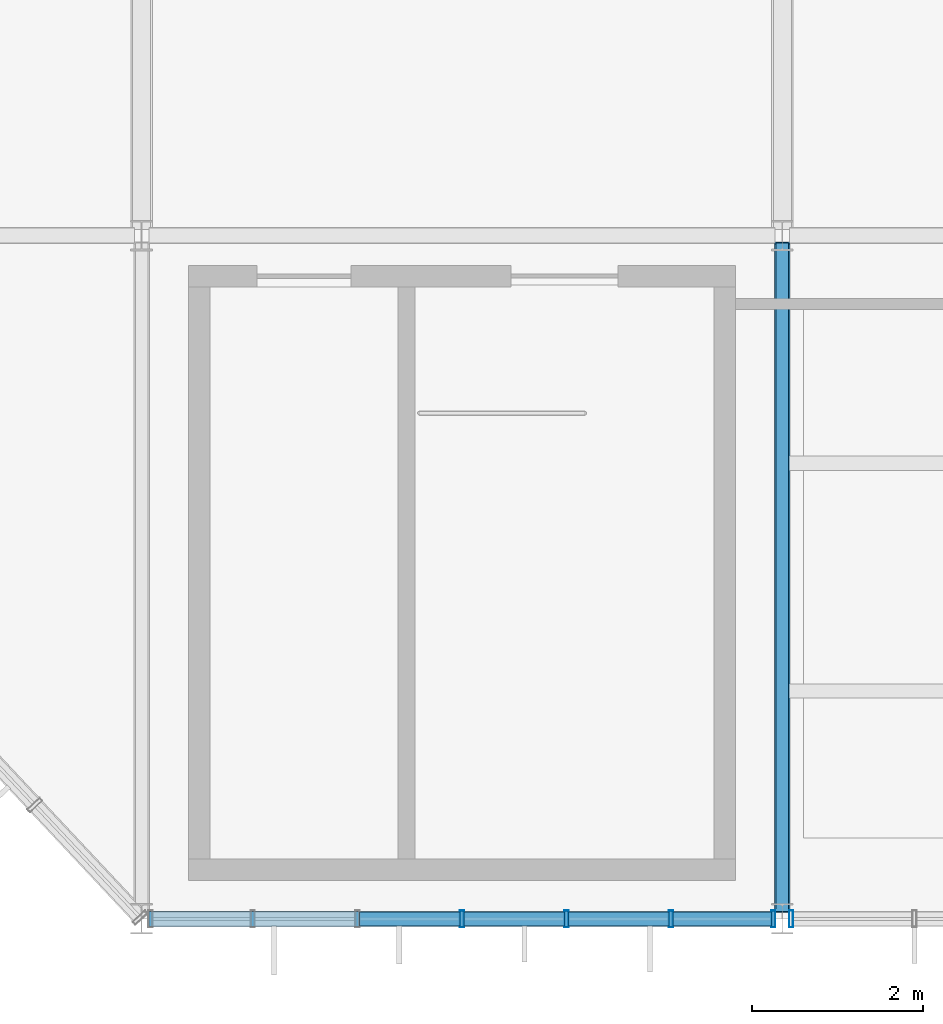
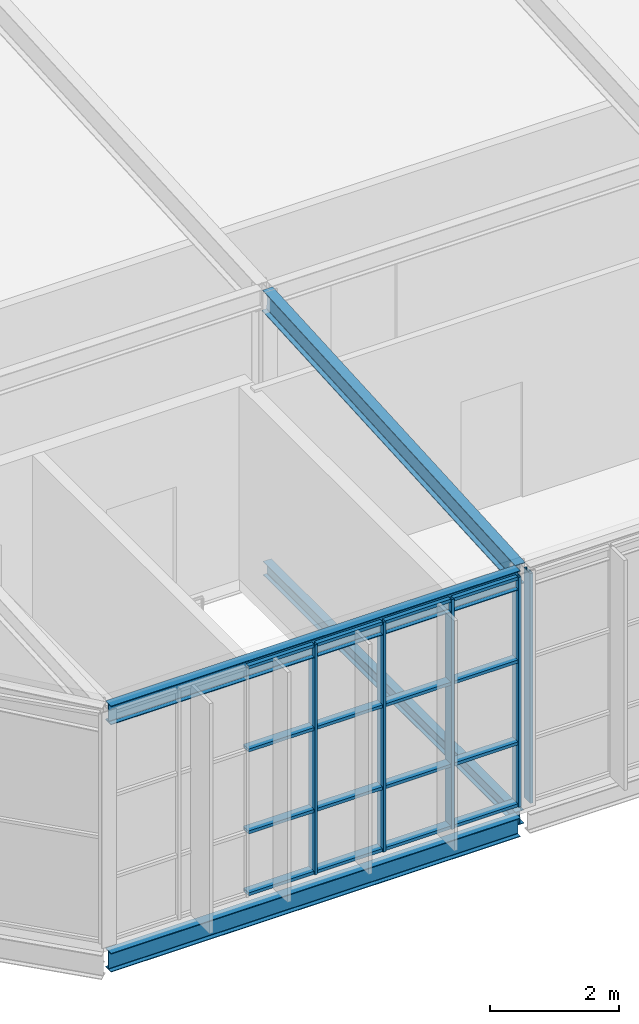
# One storey, part 11 of 104: 21 members, 4 beams, 2 elements without a shape of their own.
"""IFC4 building model written with IfcOpenShell, lengths in metres."""

from ifc_helpers import new_model, si_unit, direction, frame, origin, origin_2d, place, context, subcontext, project, spatial, hollow_rectangle, i_section, extrude, material, layer, layer_set, material_profile, profile_set, type_object, element, aggregate, save


model = new_model("IFC4")

# Units and contexts
model_context = context("Model", 3, precision=1e-05, world=origin(), true_north=direction((0.0, 1.0)))
body_context = subcontext(model_context, "Body", "Model", "MODEL_VIEW")
ifc_project = project(units=[si_unit("LENGTHUNIT", "METRE"), si_unit("AREAUNIT", "SQUARE_METRE"), si_unit("VOLUMEUNIT", "CUBIC_METRE"), si_unit("PLANEANGLEUNIT", "RADIAN"), si_unit("MASSUNIT", "GRAM", prefix="KILO")], contexts=[model_context])

# Site, building, storey
site_placement = place(None, origin())
site = spatial("IfcSite", under=ifc_project, at=site_placement, CompositionType="ELEMENT")
building_placement = place(site_placement, origin())
building = spatial("IfcBuilding", under=site, at=building_placement, Name="Solvenia Promenade Tram Depot", CompositionType="ELEMENT")
storey_placement = place(building_placement, frame((0.0, 0.0, 9.0)))
storey = spatial("IfcBuildingStorey", under=building, at=storey_placement, Name="L02", CompositionType="ELEMENT", Elevation=9.0)

# Beam
ifc_material_1 = material(Name="Structural steel ASTM A992 Gr. 50", Category="steel")
ifc_material_profile_1 = material_profile(ifc_material_1, i_section(OverallWidth=0.178955078125, OverallDepth=0.409912109375, WebThickness=0.0087890625, FlangeThickness=0.014404296875, FilletRadius=0.011962890625, at=origin_2d()), Name="W410x67", Category="steel")
ifc_profile_set_1 = profile_set([ifc_material_profile_1], Name="Structural steel ASTM A992 Gr. 50")
beam_type_1 = type_object("IfcBeamType", Name="Beam-W410x67", PredefinedType="BEAM", material=ifc_profile_set_1)
beam_1_placement = place(storey_placement, frame((15.0, 0.0849609375, 4.2548828125), z_axis=(0.0, 0.998227697106, 0.059510206937), x_axis=(-1.0, 0.0, 0.0)))
element("IfcBeam", 1, at=beam_1_placement, inside=storey, type_object=beam_type_1, Name="Folded Wing Roof Rafter BM-L02-0846", PredefinedType="BEAM", context=body_context, shape_type="SweptSolid", body=[
    extrude(i_section(OverallWidth=0.178955078125, OverallDepth=0.409912109375, WebThickness=0.0087890625, FlangeThickness=0.014404296875, FilletRadius=0.011962890625, at=origin_2d()), origin(), (0.0, 0.0, 1.0), 7.843994140625),
])

# Curtain wall, members
ifc_material_2 = material(Name="Anodized aluminium AW-6063 T6", Category="aluminium")
ifc_layer_1 = layer(ifc_material_2, 0.179931640625, Name="Anodized aluminium AW-6063 T6", Category="aluminium")
ifc_layer_set_1 = layer_set([ifc_layer_1], Name="Anodized aluminium AW-6063 T6")
curtain_wall_type_1 = type_object("IfcCurtainWallType", Name="CW-Solar-1250", PredefinedType="NOTDEFINED", material=ifc_layer_set_1)
curtain_wall_1_placement = place(storey_placement, origin())
curtain_wall_1 = element("IfcCurtainWall", 2, at=curtain_wall_1_placement, inside=storey, type_object=curtain_wall_type_1, Name="Curtain Wall CW-V4S-L02-01", PredefinedType="NOTDEFINED")
ifc_material_profile_2 = material_profile(ifc_material_2, hollow_rectangle(XDim=0.199951171875, YDim=0.048095703125, WallThickness=0.00390625, at=origin_2d()), Name="ALU-M3", Category="aluminium")
ifc_profile_set_2 = profile_set([ifc_material_profile_2], Name="Anodized aluminium AW-6063 T6")
member_type_1 = type_object("IfcMemberType", Name="CWM-Mullion-3", PredefinedType="MULLION", material=ifc_profile_set_2)
member_1_placement = place(storey_placement, frame((11.25, 0.0, 0.0), z_axis=(0.0, 0.0, 1.0), x_axis=(0.0, 1.0, 0.0)))
member_1 = element("IfcMember", 3, at=member_1_placement, type_object=member_type_1, Name="CW-6 mullion 4", PredefinedType="MULLION", context=body_context, shape_type="SweptSolid", body=[
    extrude(hollow_rectangle(XDim=0.199951171875, YDim=0.048095703125, WallThickness=0.00390625, at=origin_2d()), origin(), (0.0, 0.0, 1.0), 4.35009765625),
])
member_2_placement = place(storey_placement, frame((12.473388671875, 0.0, 0.0), z_axis=(0.0, 0.0, 1.0), x_axis=(0.0, 1.0, 0.0)))
member_2 = element("IfcMember", 4, at=member_2_placement, type_object=member_type_1, Name="CW-6 mullion 5", PredefinedType="MULLION", context=body_context, shape_type="SweptSolid", body=[
    extrude(hollow_rectangle(XDim=0.199951171875, YDim=0.048095703125, WallThickness=0.00390625, at=origin_2d()), origin(), (0.0, 0.0, 1.0), 4.35009765625),
])
member_3_placement = place(storey_placement, frame((13.69677734375, 0.0, 0.0), z_axis=(0.0, 0.0, 1.0), x_axis=(0.0, 1.0, 0.0)))
member_3 = element("IfcMember", 5, at=member_3_placement, type_object=member_type_1, Name="CW-6 mullion 6", PredefinedType="MULLION", context=body_context, shape_type="SweptSolid", body=[
    extrude(hollow_rectangle(XDim=0.199951171875, YDim=0.048095703125, WallThickness=0.00390625, at=origin_2d()), origin(), (0.0, 0.0, 1.0), 4.35009765625),
])
member_4_placement = place(storey_placement, frame((14.89599609375, 0.0, 0.0), z_axis=(0.0, 0.0, 1.0), x_axis=(0.0, 1.0, 0.0)))
member_4 = element("IfcMember", 6, at=member_4_placement, type_object=member_type_1, Name="CW-6 mullion 7", PredefinedType="MULLION", context=body_context, shape_type="SweptSolid", body=[
    extrude(hollow_rectangle(XDim=0.199951171875, YDim=0.048095703125, WallThickness=0.00390625, at=origin_2d()), origin(), (0.0, 0.0, 1.0), 4.35009765625),
])

# Curtain wall, member
ifc_layer_2 = layer(ifc_material_2, 0.179931640625, Name="Anodized aluminium AW-6063 T6", Category="aluminium")
ifc_layer_set_2 = layer_set([ifc_layer_2], Name="Anodized aluminium AW-6063 T6")
curtain_wall_type_2 = type_object("IfcCurtainWallType", Name="CW-Solar-1500", PredefinedType="NOTDEFINED", material=ifc_layer_set_2)
curtain_wall_2_placement = place(storey_placement, origin())
curtain_wall_2 = element("IfcCurtainWall", 7, at=curtain_wall_2_placement, inside=storey, type_object=curtain_wall_type_2, Name="Curtain Wall CW-V4S-L02-02", PredefinedType="NOTDEFINED")
member_5_placement = place(storey_placement, frame((15.10400390625, 0.0, 0.0), z_axis=(0.0, 0.0, 1.0), x_axis=(0.0, 1.0, 0.0)))
member_5 = element("IfcMember", 8, at=member_5_placement, type_object=member_type_1, Name="CW-7 mullion 1", PredefinedType="MULLION", context=body_context, shape_type="SweptSolid", body=[
    extrude(hollow_rectangle(XDim=0.199951171875, YDim=0.048095703125, WallThickness=0.00390625, at=origin_2d()), origin(), (0.0, 0.0, 1.0), 4.35009765625),
])
aggregate(curtain_wall_2, [member_5])

# Member
ifc_material_profile_3 = material_profile(ifc_material_2, hollow_rectangle(XDim=0.159912109375, YDim=0.05810546875, WallThickness=0.00390625, at=origin_2d()), Name="ALU-T3", Category="aluminium")
ifc_profile_set_3 = profile_set([ifc_material_profile_3], Name="Anodized aluminium AW-6063 T6")
member_type_2 = type_object("IfcMemberType", Name="CWT-Transom-3", PredefinedType="USERDEFINED", material=ifc_profile_set_3)
member_6_placement = place(storey_placement, frame((10.05078125, 0.0, 0.029052734375), z_axis=(1.0, 0.0, 0.0), x_axis=(0.0, 1.0, 0.0)))
member_6 = element("IfcMember", 9, at=member_6_placement, type_object=member_type_2, Name="CW-6 transom 3.1", ObjectType="TRANSOM", PredefinedType="USERDEFINED", context=body_context, shape_type="SweptSolid", body=[
    extrude(hollow_rectangle(XDim=0.159912109375, YDim=0.05810546875, WallThickness=0.00390625, at=origin_2d()), origin(), (0.0, 0.0, 1.0), 1.17529296875),
])

member_7_placement = place(storey_placement, frame((10.05078125, 0.0, 1.199951171875), z_axis=(1.0, 0.0, 0.0), x_axis=(0.0, 1.0, 0.0)))
member_7 = element("IfcMember", 10, at=member_7_placement, type_object=member_type_2, Name="CW-6 transom 3.2", ObjectType="TRANSOM", PredefinedType="USERDEFINED", context=body_context, shape_type="SweptSolid", body=[
    extrude(hollow_rectangle(XDim=0.159912109375, YDim=0.05810546875, WallThickness=0.00390625, at=origin_2d()), origin(), (0.0, 0.0, 1.0), 1.17529296875),
])

member_8_placement = place(storey_placement, frame((10.05078125, 0.0, 2.75), z_axis=(1.0, 0.0, 0.0), x_axis=(0.0, 1.0, 0.0)))
member_8 = element("IfcMember", 11, at=member_8_placement, type_object=member_type_2, Name="CW-6 transom 3.3", ObjectType="TRANSOM", PredefinedType="USERDEFINED", context=body_context, shape_type="SweptSolid", body=[
    extrude(hollow_rectangle(XDim=0.159912109375, YDim=0.05810546875, WallThickness=0.00390625, at=origin_2d()), origin(), (0.0, 0.0, 1.0), 1.17529296875),
])

member_9_placement = place(storey_placement, frame((10.05078125, 0.0, 4.321044921875), z_axis=(1.0, 0.0, 0.0), x_axis=(0.0, 1.0, 0.0)))
member_9 = element("IfcMember", 12, at=member_9_placement, type_object=member_type_2, Name="CW-6 transom 3.4", ObjectType="TRANSOM", PredefinedType="USERDEFINED", context=body_context, shape_type="SweptSolid", body=[
    extrude(hollow_rectangle(XDim=0.159912109375, YDim=0.05810546875, WallThickness=0.00390625, at=origin_2d()), origin(), (0.0, 0.0, 1.0), 1.17529296875),
])

member_10_placement = place(storey_placement, frame((11.27392578125, 0.0, 0.029052734375), z_axis=(1.0, 0.0, 0.0), x_axis=(0.0, 1.0, 0.0)))
member_10 = element("IfcMember", 13, at=member_10_placement, type_object=member_type_2, Name="CW-6 transom 4.1", ObjectType="TRANSOM", PredefinedType="USERDEFINED", context=body_context, shape_type="SweptSolid", body=[
    extrude(hollow_rectangle(XDim=0.159912109375, YDim=0.05810546875, WallThickness=0.00390625, at=origin_2d()), origin(), (0.0, 0.0, 1.0), 1.17529296875),
])

member_11_placement = place(storey_placement, frame((11.27392578125, 0.0, 1.199951171875), z_axis=(1.0, 0.0, 0.0), x_axis=(0.0, 1.0, 0.0)))
member_11 = element("IfcMember", 14, at=member_11_placement, type_object=member_type_2, Name="CW-6 transom 4.2", ObjectType="TRANSOM", PredefinedType="USERDEFINED", context=body_context, shape_type="SweptSolid", body=[
    extrude(hollow_rectangle(XDim=0.159912109375, YDim=0.05810546875, WallThickness=0.00390625, at=origin_2d()), origin(), (0.0, 0.0, 1.0), 1.17529296875),
])

member_12_placement = place(storey_placement, frame((11.27392578125, 0.0, 2.75), z_axis=(1.0, 0.0, 0.0), x_axis=(0.0, 1.0, 0.0)))
member_12 = element("IfcMember", 15, at=member_12_placement, type_object=member_type_2, Name="CW-6 transom 4.3", ObjectType="TRANSOM", PredefinedType="USERDEFINED", context=body_context, shape_type="SweptSolid", body=[
    extrude(hollow_rectangle(XDim=0.159912109375, YDim=0.05810546875, WallThickness=0.00390625, at=origin_2d()), origin(), (0.0, 0.0, 1.0), 1.17529296875),
])

member_13_placement = place(storey_placement, frame((11.27392578125, 0.0, 4.321044921875), z_axis=(1.0, 0.0, 0.0), x_axis=(0.0, 1.0, 0.0)))
member_13 = element("IfcMember", 16, at=member_13_placement, type_object=member_type_2, Name="CW-6 transom 4.4", ObjectType="TRANSOM", PredefinedType="USERDEFINED", context=body_context, shape_type="SweptSolid", body=[
    extrude(hollow_rectangle(XDim=0.159912109375, YDim=0.05810546875, WallThickness=0.00390625, at=origin_2d()), origin(), (0.0, 0.0, 1.0), 1.17529296875),
])

member_14_placement = place(storey_placement, frame((12.497314453125, 0.0, 0.029052734375), z_axis=(1.0, 0.0, 0.0), x_axis=(0.0, 1.0, 0.0)))
member_14 = element("IfcMember", 17, at=member_14_placement, type_object=member_type_2, Name="CW-6 transom 5.1", ObjectType="TRANSOM", PredefinedType="USERDEFINED", context=body_context, shape_type="SweptSolid", body=[
    extrude(hollow_rectangle(XDim=0.159912109375, YDim=0.05810546875, WallThickness=0.00390625, at=origin_2d()), origin(), (0.0, 0.0, 1.0), 1.17529296875),
])

member_15_placement = place(storey_placement, frame((12.497314453125, 0.0, 1.199951171875), z_axis=(1.0, 0.0, 0.0), x_axis=(0.0, 1.0, 0.0)))
member_15 = element("IfcMember", 18, at=member_15_placement, type_object=member_type_2, Name="CW-6 transom 5.2", ObjectType="TRANSOM", PredefinedType="USERDEFINED", context=body_context, shape_type="SweptSolid", body=[
    extrude(hollow_rectangle(XDim=0.159912109375, YDim=0.05810546875, WallThickness=0.00390625, at=origin_2d()), origin(), (0.0, 0.0, 1.0), 1.17529296875),
])

member_16_placement = place(storey_placement, frame((12.497314453125, 0.0, 2.75), z_axis=(1.0, 0.0, 0.0), x_axis=(0.0, 1.0, 0.0)))
member_16 = element("IfcMember", 19, at=member_16_placement, type_object=member_type_2, Name="CW-6 transom 5.3", ObjectType="TRANSOM", PredefinedType="USERDEFINED", context=body_context, shape_type="SweptSolid", body=[
    extrude(hollow_rectangle(XDim=0.159912109375, YDim=0.05810546875, WallThickness=0.00390625, at=origin_2d()), origin(), (0.0, 0.0, 1.0), 1.17529296875),
])

member_17_placement = place(storey_placement, frame((12.497314453125, 0.0, 4.321044921875), z_axis=(1.0, 0.0, 0.0), x_axis=(0.0, 1.0, 0.0)))
member_17 = element("IfcMember", 20, at=member_17_placement, type_object=member_type_2, Name="CW-6 transom 5.4", ObjectType="TRANSOM", PredefinedType="USERDEFINED", context=body_context, shape_type="SweptSolid", body=[
    extrude(hollow_rectangle(XDim=0.159912109375, YDim=0.05810546875, WallThickness=0.00390625, at=origin_2d()), origin(), (0.0, 0.0, 1.0), 1.17529296875),
])

member_18_placement = place(storey_placement, frame((13.720703125, 0.0, 0.029052734375), z_axis=(1.0, 0.0, 0.0), x_axis=(0.0, 1.0, 0.0)))
member_18 = element("IfcMember", 21, at=member_18_placement, type_object=member_type_2, Name="CW-6 transom 6.1", ObjectType="TRANSOM", PredefinedType="USERDEFINED", context=body_context, shape_type="SweptSolid", body=[
    extrude(hollow_rectangle(XDim=0.159912109375, YDim=0.05810546875, WallThickness=0.00390625, at=origin_2d()), origin(), (0.0, 0.0, 1.0), 1.1513671875),
])

member_19_placement = place(storey_placement, frame((13.720703125, 0.0, 1.199951171875), z_axis=(1.0, 0.0, 0.0), x_axis=(0.0, 1.0, 0.0)))
member_19 = element("IfcMember", 22, at=member_19_placement, type_object=member_type_2, Name="CW-6 transom 6.2", ObjectType="TRANSOM", PredefinedType="USERDEFINED", context=body_context, shape_type="SweptSolid", body=[
    extrude(hollow_rectangle(XDim=0.159912109375, YDim=0.05810546875, WallThickness=0.00390625, at=origin_2d()), origin(), (0.0, 0.0, 1.0), 1.1513671875),
])

member_20_placement = place(storey_placement, frame((13.720703125, 0.0, 2.75), z_axis=(1.0, 0.0, 0.0), x_axis=(0.0, 1.0, 0.0)))
member_20 = element("IfcMember", 23, at=member_20_placement, type_object=member_type_2, Name="CW-6 transom 6.3", ObjectType="TRANSOM", PredefinedType="USERDEFINED", context=body_context, shape_type="SweptSolid", body=[
    extrude(hollow_rectangle(XDim=0.159912109375, YDim=0.05810546875, WallThickness=0.00390625, at=origin_2d()), origin(), (0.0, 0.0, 1.0), 1.1513671875),
])

member_21_placement = place(storey_placement, frame((13.720703125, 0.0, 4.321044921875), z_axis=(1.0, 0.0, 0.0), x_axis=(0.0, 1.0, 0.0)))
member_21 = element("IfcMember", 24, at=member_21_placement, type_object=member_type_2, Name="CW-6 transom 6.4", ObjectType="TRANSOM", PredefinedType="USERDEFINED", context=body_context, shape_type="SweptSolid", body=[
    extrude(hollow_rectangle(XDim=0.159912109375, YDim=0.05810546875, WallThickness=0.00390625, at=origin_2d()), origin(), (0.0, 0.0, 1.0), 1.1513671875),
])

aggregate(curtain_wall_1, [member_1, member_2, member_3, member_4, member_6, member_7, member_8, member_9, member_10, member_11, member_12, member_13, member_14, member_15, member_16, member_17, member_18, member_19, member_20, member_21])

# Beams
ifc_material_profile_4 = material_profile(ifc_material_1, i_section(OverallWidth=0.14697265625, OverallDepth=0.261962890625, WebThickness=0.006591796875, FlangeThickness=0.01123046875, FilletRadius=0.010009765625, at=origin_2d()), Name="W250x39", Category="steel")
ifc_profile_set_4 = profile_set([ifc_material_profile_4], Name="Structural steel ASTM A992 Gr. 50")
beam_type_2 = type_object("IfcBeamType", Name="Joist-W250x39", PredefinedType="JOIST", material=ifc_profile_set_4)
beam_2_placement = place(storey_placement, frame((15.0, 0.0849609375, -0.35107421875), z_axis=(0.0, 1.0, 0.0), x_axis=(-1.0, 0.0, 0.0)))
element("IfcBeam", 25, at=beam_2_placement, inside=storey, type_object=beam_type_2, Name="Transverse Girder BM-L02-0546", PredefinedType="JOIST", context=body_context, shape_type="SweptSolid", body=[
    extrude(i_section(OverallWidth=0.14697265625, OverallDepth=0.261962890625, WebThickness=0.006591796875, FlangeThickness=0.01123046875, FilletRadius=0.010009765625, at=origin_2d()), origin(), (0.0, 0.0, 1.0), 7.830078125),
])
ifc_material_profile_5 = material_profile(ifc_material_1, i_section(OverallWidth=0.172119140625, OverallDepth=0.35791015625, WebThickness=0.0078125, FlangeThickness=0.01318359375, FilletRadius=0.010986328125, at=origin_2d()), Name="W360x57", Category="steel")
ifc_profile_set_5 = profile_set([ifc_material_profile_5], Name="Structural steel ASTM A992 Gr. 50")
beam_type_3 = type_object("IfcBeamType", Name="Spandrel-W360x57", PredefinedType="SPANDREL", material=ifc_profile_set_5)
for number, where, z_axis, x_axis, name in (
    (26, (7.5849609375, 0.0, -0.39892578125), (1.0, 0.0, 0.0), (0.0, 1.0, 0.0), "Perimeter Spandrel BM-L02-0523"),
    (27, (7.5849609375, 0.0, 4.281005859375), (1.0, 0.0, 0.0), (0.0, 1.0, 0.0), "Folded Wing Roof Eave Beam BM-L02-0861"),
):
    element("IfcBeam", number, at=place(storey_placement, frame(where, z_axis=z_axis, x_axis=x_axis)), inside=storey, type_object=beam_type_3, Name=name, PredefinedType="SPANDREL", context=body_context, shape_type="SweptSolid", body=[
        extrude(i_section(OverallWidth=0.172119140625, OverallDepth=0.35791015625, WebThickness=0.0078125, FlangeThickness=0.01318359375, FilletRadius=0.010986328125, at=origin_2d()), origin(), (0.0, 0.0, 1.0), 7.330078125),
    ])

save(model, "model.ifc")
